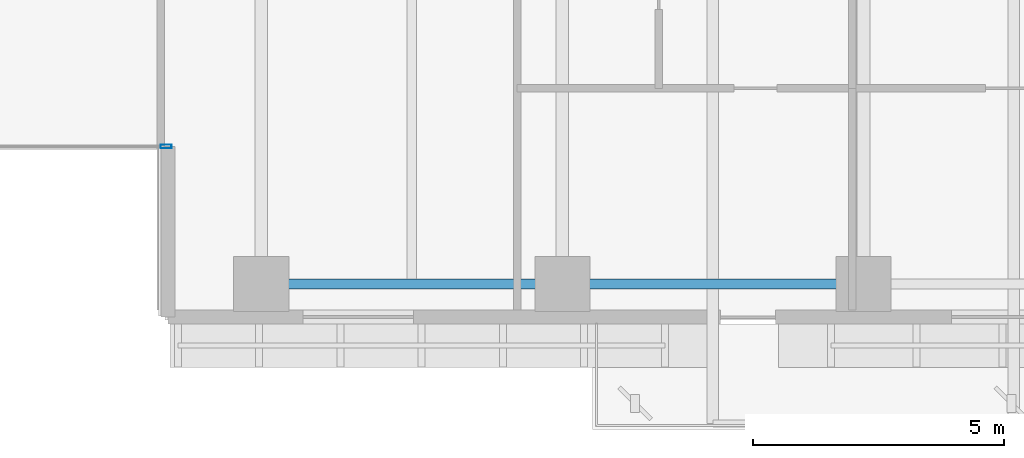
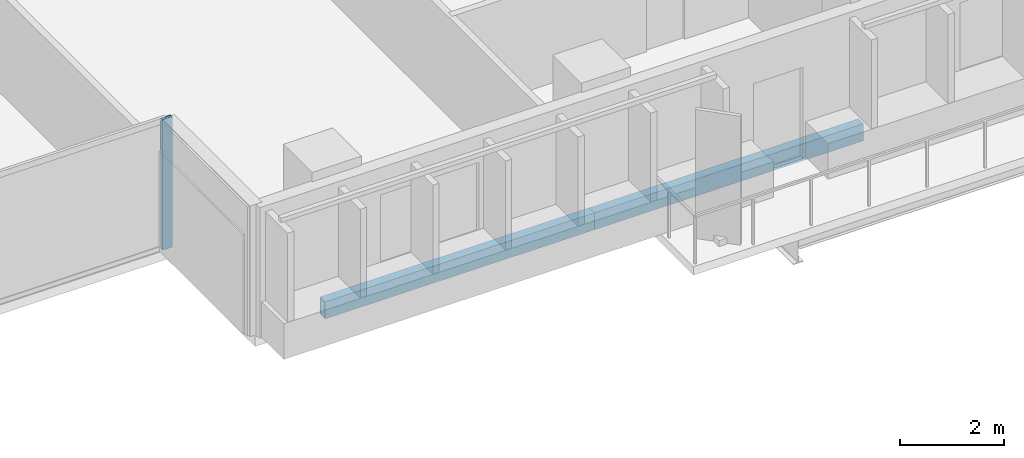
# One storey, part 6 of 34: 2 beams, 1 member, 1 element without a shape of its own.
"""IFC4 building model written with IfcOpenShell, lengths in metres."""

from ifc_helpers import new_model, si_unit, direction, frame, origin, origin_2d, place, context, subcontext, project, spatial, hollow_rectangle, extrude, material, layer, layer_set, material_profile, profile_set, type_object, element, aggregate, save


model = new_model("IFC4")

# Units and contexts
model_context = context("Model", 3, precision=1e-05, world=origin(), true_north=direction((0.0, 1.0)))
body_context = subcontext(model_context, "Body", "Model", "MODEL_VIEW")
ifc_project = project(units=[si_unit("LENGTHUNIT", "METRE"), si_unit("AREAUNIT", "SQUARE_METRE"), si_unit("VOLUMEUNIT", "CUBIC_METRE"), si_unit("PLANEANGLEUNIT", "RADIAN"), si_unit("MASSUNIT", "GRAM", prefix="KILO")], contexts=[model_context])

# Site, building, storey
site_placement = place(None, origin())
site = spatial("IfcSite", under=ifc_project, at=site_placement, CompositionType="ELEMENT")
building_placement = place(site_placement, origin())
building = spatial("IfcBuilding", under=site, at=building_placement, Name="Tanjung Sevakor Pilgrim Tower", CompositionType="ELEMENT")
storey_placement = place(building_placement, frame((0.0, 0.0, 55.43994140625)))
storey = spatial("IfcBuildingStorey", under=building, at=storey_placement, Name="L15", CompositionType="ELEMENT", Elevation=55.43994140625)

# Beams
ifc_material_1 = material(Name="Steel S355J2", Category="steel")
ifc_material_profile_1 = material_profile(ifc_material_1, hollow_rectangle(XDim=0.199951171875, YDim=0.39990234375, WallThickness=0.01611328125, at=origin_2d()))
ifc_profile_set_1 = profile_set([ifc_material_profile_1], Name="Steel S355J2")
beam_type = type_object("IfcBeamType", Name="BM-B-SP2-RHS_400x200x16", PredefinedType="SPANDREL", material=ifc_profile_set_1)
for number, where, z_axis, x_axis, name in (
    (1, (54.0, 8.39990234375, -0.419921875), (1.0, 0.0, 0.0), (0.0, 1.0, 0.0), "L15 Spandrel MAIN S-07"),
    (2, (60.0, 8.39990234375, -0.419921875), (1.0, 0.0, 0.0), (0.0, 1.0, 0.0), "L15 Spandrel MAIN S-09"),
):
    element("IfcBeam", number, at=place(storey_placement, frame(where, z_axis=z_axis, x_axis=x_axis)), inside=storey, type_object=beam_type, Name=name, PredefinedType="SPANDREL", context=body_context, shape_type="SweptSolid", body=[
        extrude(hollow_rectangle(XDim=0.199951171875, YDim=0.39990234375, WallThickness=0.01611328125, at=origin_2d()), origin(), (0.0, 0.0, 1.0), 6.0),
    ])

# Curtain wall, member
ifc_material_2 = material(Name="Aluminium 6063-T6 and Low-E Glass", Category="aluminium")
ifc_layer = layer(ifc_material_2, 0.179931640625)
ifc_layer_set = layer_set([ifc_layer], Name="CW-SYS-CLEFT")
curtain_wall_type = type_object("IfcCurtainWallType", Name="CW-SYS-CLEFT", PredefinedType="NOTDEFINED", material=ifc_layer_set)
curtain_wall_placement = place(storey_placement, origin())
curtain_wall = element("IfcCurtainWall", 3, at=curtain_wall_placement, inside=storey, type_object=curtain_wall_type, Name="L15 Curtain Wall CW-CLF-L15-2", PredefinedType="NOTDEFINED")
ifc_material_3 = material(Name="Aluminium 6063-T6", Category="aluminium")
ifc_material_profile_2 = material_profile(ifc_material_3, hollow_rectangle(XDim=0.074951171875, YDim=0.219970703125, WallThickness=0.0048828125, at=origin_2d()))
ifc_profile_set_2 = profile_set([ifc_material_profile_2], Name="Aluminium 6063-T6")
member_type = type_object("IfcMemberType", Name="TYPE-CWM-2", PredefinedType="MULLION", material=ifc_profile_set_2)
member_placement = place(storey_placement, frame((52.1025390625, 11.139892578125, 0.0), z_axis=(0.0, 0.0, 1.0), x_axis=(0.0, 1.0, 0.0)))
member = element("IfcMember", 4, at=member_placement, type_object=member_type, Name="CW-CLF mullion 2", PredefinedType="MULLION", context=body_context, shape_type="SweptSolid", body=[
    extrude(hollow_rectangle(XDim=0.074951171875, YDim=0.219970703125, WallThickness=0.0048828125, at=origin_2d()), origin(), (0.0, 0.0, 1.0), 3.080078125),
])
aggregate(curtain_wall, [member])

save(model, "model.ifc")
